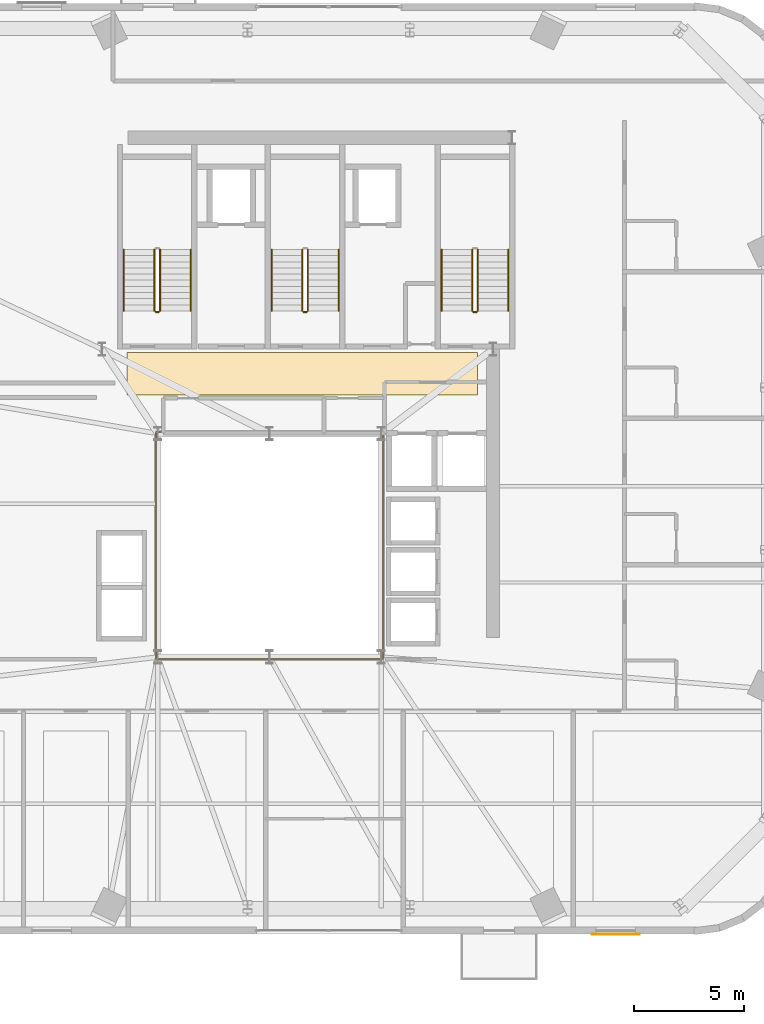
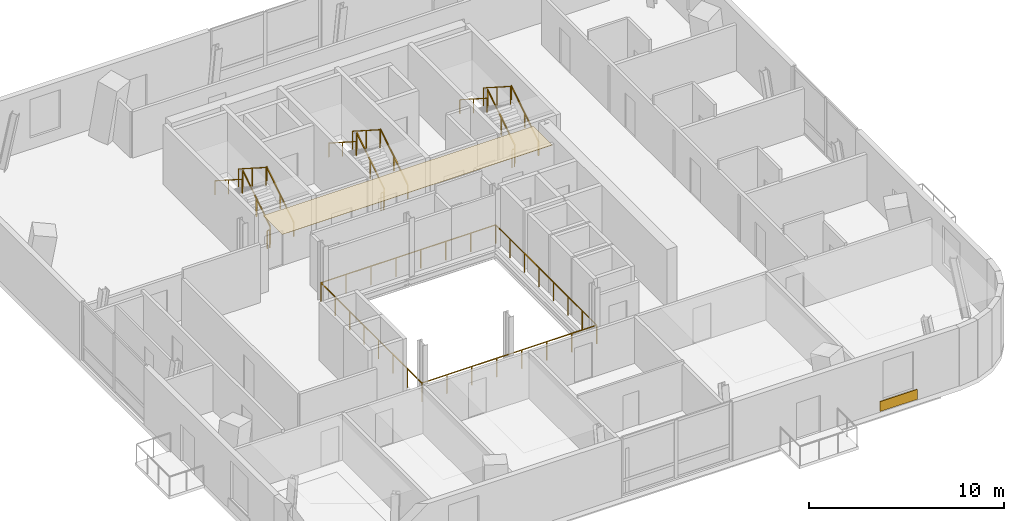
# One storey, part 11 of 14: 16 railings, 2 coverings.
"""IFC4 building model written with IfcOpenShell, lengths in metres."""

from ifc_helpers import new_model, si_unit, direction, frame, origin, origin_2d, place, context, subcontext, project, spatial, polyline, rectangle, outline, extrude, source, transform, mapped, material, layer, layer_set, type_object, element, save


model = new_model("IFC4")

# Units and contexts
model_context = context("Model", 3, precision=1e-05, world=origin(), true_north=direction((0.0, 1.0)))
body_context = subcontext(model_context, "Body", "Model", "MODEL_VIEW")
ifc_project = project(units=[si_unit("LENGTHUNIT", "METRE"), si_unit("AREAUNIT", "SQUARE_METRE"), si_unit("VOLUMEUNIT", "CUBIC_METRE"), si_unit("PLANEANGLEUNIT", "RADIAN"), si_unit("MASSUNIT", "GRAM", prefix="KILO")], contexts=[model_context])

# Site, building, storey
site_placement = place(None, origin())
site = spatial("IfcSite", under=ifc_project, at=site_placement, CompositionType="ELEMENT")
building_placement = place(site_placement, origin())
building = spatial("IfcBuilding", under=site, at=building_placement, Name="Vardaveli Station Tower", CompositionType="ELEMENT")
storey_placement = place(building_placement, frame((0.0, 0.0, 270.35009765625)))
storey = spatial("IfcBuildingStorey", under=building, at=storey_placement, Name="L69", CompositionType="ELEMENT", Elevation=270.35009765625)

# Coverings
ifc_material_1 = material(Name="Perforated acoustic mineral ceiling")
ifc_layer_1 = layer(ifc_material_1, 0.02001953125, Name="Perforated acoustic mineral ceiling")
ifc_layer_set_1 = layer_set([ifc_layer_1], Name="Perforated acoustic mineral ceiling")
covering_type_1 = type_object("IfcCoveringType", Name="COV-CEIL-AC20", PredefinedType="CEILING", material=ifc_layer_set_1)
covering_1_placement = place(storey_placement, frame((0.0, 0.0, 3.635009765625)))
element("IfcCovering", 1, at=covering_1_placement, inside=storey, type_object=covering_type_1, Name="CEIL-L69-6", PredefinedType="CEILING", context=body_context, shape_type="SweptSolid", body=[
    extrude(outline(polyline([(29.800048828125, 28.550048828125), (45.800048828125, 28.550048828125), (45.800048828125, 30.5), (29.800048828125, 30.5), (29.800048828125, 28.550048828125)])), origin(), (0.0, 0.0, 1.0), 0.019775390625),
])
ifc_material_2 = material(Name="Ventilated honed travertine stone cladding", Category="masonry")
ifc_layer_2 = layer(ifc_material_2, 0.044921875, Name="Ventilated honed travertine stone cladding")
ifc_layer_set_2 = layer_set([ifc_layer_2], Name="Ventilated honed travertine stone cladding")
covering_type_2 = type_object("IfcCoveringType", Name="COV-CLAD-TR45", PredefinedType="CLADDING", material=ifc_layer_set_2)
shared_shape_1 = source(origin(), body_context, "Body", "SweptSolid", [
    extrude(rectangle(XDim=2.199951171875, YDim=0.044921875, at=origin_2d()), origin(), (0.0, 0.0, 1.0), 0.6201171875),
])
covering_2_placement = place(storey_placement, frame((52.09912109375, 3.945556640625, 0.06982421875), z_axis=(0.0, 0.0, 1.0), x_axis=(1.0, 0.0, 0.0)))
element("IfcCovering", 2, at=covering_2_placement, inside=storey, type_object=covering_type_2, Name="CLD-TR-L69-S", PredefinedType="CLADDING", context=body_context, shape_type="MappedRepresentation", body=[
    mapped(shared_shape_1, transform((0.0, 0.0, 0.0), scale=1.0)),
])

# Railings
ifc_material_3 = material(Name="Brushed AISI 316 stainless steel", Category="steel")
railing_type_1 = type_object("IfcRailingType", Name="RL-GUARD-1150", PredefinedType="GUARDRAIL", material=ifc_material_3)
shared_shape_2 = source(origin(), body_context, "Body", "SweptSolid", [
    extrude(rectangle(XDim=0.048095703125, YDim=0.048095703125, at=origin_2d()), frame((0.0, 0.0, 1.1259765625), z_axis=(-1.0, 0.0, 0.0), x_axis=(0.0, -1.0, 0.0)), (0.0, 0.0, 1.0), 0.14990234375),
    extrude(rectangle(XDim=0.0419921875, YDim=0.0419921875, at=origin_2d()), origin(), (0.0, 0.0, 1.0), 1.101806640625),
    extrude(rectangle(XDim=0.0419921875, YDim=0.0419921875, at=origin_2d()), frame((-0.14990234375, 0.0, 0.0)), (0.0, 0.0, 1.0), 1.101806640625),
])
for number, where, name in (
    (3, (31.25, 32.35009765625, 0.0), "L69 ST-1 stair guard 4"),
    (4, (38.0, 32.35009765625, 0.0), "L69 ST-2 stair guard 4"),
    (5, (45.75, 32.35009765625, 0.0), "L69 ST-3 stair guard 4"),
):
    element("IfcRailing", number, at=place(storey_placement, frame(where)), inside=storey, type_object=railing_type_1, Name=name, PredefinedType="GUARDRAIL", context=body_context, shape_type="MappedRepresentation", body=[
        mapped(shared_shape_2, transform((0.0, 0.0, 0.0), scale=1.0)),
    ])
shared_shape_3 = source(origin(), body_context, "Body", "SweptSolid", [
    extrude(rectangle(XDim=0.048095703125, YDim=0.048095703125, at=origin_2d()), frame((0.0, 0.0, 1.1259765625), z_axis=(0.0, 0.841809871826, 0.539774156196), x_axis=(-1.0, 0.0, 0.0)), (0.0, 0.0, 1.0), 3.326171875),
    extrude(rectangle(XDim=0.0419921875, YDim=0.0419921875, at=origin_2d()), origin(), (0.0, 0.0, 1.0), 1.101806640625),
    extrude(rectangle(XDim=0.0419921875, YDim=0.0419921875, at=origin_2d()), frame((0.0, 1.39990234375, 0.897705078125)), (0.0, 0.0, 1.0), 1.101806640625),
    extrude(rectangle(XDim=0.0419921875, YDim=0.0419921875, at=origin_2d()), frame((0.0, 2.800048828125, 1.79541015625)), (0.0, 0.0, 1.0), 1.101806640625),
])
for number, where, name in (
    (6, (31.300048828125, 32.39990234375, 0.179443359375), "L69 ST-1 stair guard 1"),
    (7, (38.050048828125, 32.39990234375, 0.179443359375), "L69 ST-2 stair guard 1"),
    (8, (45.800048828125, 32.39990234375, 0.179443359375), "L69 ST-3 stair guard 1"),
):
    element("IfcRailing", number, at=place(storey_placement, frame(where)), inside=storey, type_object=railing_type_1, Name=name, PredefinedType="GUARDRAIL", context=body_context, shape_type="MappedRepresentation", body=[
        mapped(shared_shape_3, transform((0.0, 0.0, 0.0), scale=1.0)),
    ])
shared_shape_4 = source(origin(), body_context, "Body", "SweptSolid", [
    extrude(rectangle(XDim=0.048095703125, YDim=0.048095703125, at=origin_2d()), frame((0.0, 0.0, 1.1259765625), z_axis=(0.0, -0.841809871826, 0.539774156196), x_axis=(1.0, 0.0, 0.0)), (0.0, 0.0, 1.0), 3.326171875),
    extrude(rectangle(XDim=0.0419921875, YDim=0.0419921875, at=origin_2d()), origin(), (0.0, 0.0, 1.0), 1.101806640625),
    extrude(rectangle(XDim=0.0419921875, YDim=0.0419921875, at=origin_2d()), frame((0.0, -1.39990234375, 0.897705078125)), (0.0, 0.0, 1.0), 1.101806640625),
    extrude(rectangle(XDim=0.0419921875, YDim=0.0419921875, at=origin_2d()), frame((0.0, -2.800048828125, 1.79541015625)), (0.0, 0.0, 1.0), 1.101806640625),
])
for number, where, name in (
    (9, (31.050048828125, 35.199951171875, 2.154541015625), "L69 ST-1 stair guard 3"),
    (10, (37.800048828125, 35.199951171875, 2.154541015625), "L69 ST-2 stair guard 3"),
    (11, (45.550048828125, 35.199951171875, 2.154541015625), "L69 ST-3 stair guard 3"),
):
    element("IfcRailing", number, at=place(storey_placement, frame(where)), inside=storey, type_object=railing_type_1, Name=name, PredefinedType="GUARDRAIL", context=body_context, shape_type="MappedRepresentation", body=[
        mapped(shared_shape_4, transform((0.0, 0.0, 0.0), scale=1.0)),
    ])
railing_type_2 = type_object("IfcRailingType", Name="RL-HAND-900", PredefinedType="HANDRAIL", material=ifc_material_3)
shared_shape_5 = source(origin(), body_context, "Body", "SweptSolid", [
    extrude(rectangle(XDim=0.048095703125, YDim=0.048095703125, at=origin_2d()), frame((0.0, 0.0, 0.8759765625), z_axis=(0.0, 0.841809871826, 0.539774156196), x_axis=(-1.0, 0.0, 0.0)), (0.0, 0.0, 1.0), 3.326171875),
    extrude(rectangle(XDim=0.0419921875, YDim=0.0419921875, at=origin_2d()), origin(), (0.0, 0.0, 1.0), 0.851806640625),
    extrude(rectangle(XDim=0.0419921875, YDim=0.0419921875, at=origin_2d()), frame((0.0, 1.39990234375, 0.897705078125)), (0.0, 0.0, 1.0), 0.851806640625),
    extrude(rectangle(XDim=0.0419921875, YDim=0.0419921875, at=origin_2d()), frame((0.0, 2.800048828125, 1.79541015625)), (0.0, 0.0, 1.0), 0.851806640625),
])
for number, where, name in (
    (12, (32.699951171875, 32.39990234375, 0.179443359375), "L69 ST-1 stair handrail 1"),
    (13, (39.449951171875, 32.39990234375, 0.179443359375), "L69 ST-2 stair handrail 1"),
    (14, (47.199951171875, 32.39990234375, 0.179443359375), "L69 ST-3 stair handrail 1"),
):
    element("IfcRailing", number, at=place(storey_placement, frame(where)), inside=storey, type_object=railing_type_2, Name=name, PredefinedType="HANDRAIL", context=body_context, shape_type="MappedRepresentation", body=[
        mapped(shared_shape_5, transform((0.0, 0.0, 0.0), scale=1.0)),
    ])
shared_shape_6 = source(origin(), body_context, "Body", "SweptSolid", [
    extrude(rectangle(XDim=0.048095703125, YDim=0.048095703125, at=origin_2d()), frame((0.0, 0.0, 0.8759765625), z_axis=(0.0, -0.841809871826, 0.539774156196), x_axis=(1.0, 0.0, 0.0)), (0.0, 0.0, 1.0), 3.326171875),
    extrude(rectangle(XDim=0.0419921875, YDim=0.0419921875, at=origin_2d()), origin(), (0.0, 0.0, 1.0), 0.851806640625),
    extrude(rectangle(XDim=0.0419921875, YDim=0.0419921875, at=origin_2d()), frame((0.0, -1.39990234375, 0.897705078125)), (0.0, 0.0, 1.0), 0.851806640625),
    extrude(rectangle(XDim=0.0419921875, YDim=0.0419921875, at=origin_2d()), frame((0.0, -2.800048828125, 1.79541015625)), (0.0, 0.0, 1.0), 0.851806640625),
])
for number, where, name in (
    (15, (29.64990234375, 35.199951171875, 2.154541015625), "L69 ST-1 stair handrail 2"),
    (16, (36.39990234375, 35.199951171875, 2.154541015625), "L69 ST-2 stair handrail 2"),
    (17, (44.14990234375, 35.199951171875, 2.154541015625), "L69 ST-3 stair handrail 2"),
):
    element("IfcRailing", number, at=place(storey_placement, frame(where)), inside=storey, type_object=railing_type_2, Name=name, PredefinedType="HANDRAIL", context=body_context, shape_type="MappedRepresentation", body=[
        mapped(shared_shape_6, transform((0.0, 0.0, 0.0), scale=1.0)),
    ])
ifc_material_4 = material(Name="Laminated glass and stainless steel balustrade", Category="steel")
railing_type_3 = type_object("IfcRailingType", Name="RL-BAL-1200", PredefinedType="BALUSTRADE", material=ifc_material_4)
shared_shape_7 = source(origin(), body_context, "Body", "SweptSolid", [
    extrude(rectangle(XDim=0.048095703125, YDim=0.048095703125, at=origin_2d()), frame((0.0, 0.0, 1.17578125), z_axis=(1.0, 0.0, 0.0), x_axis=(0.0, 1.0, 0.0)), (0.0, 0.0, 1.0), 10.35986328125),
    extrude(rectangle(XDim=0.048095703125, YDim=0.048095703125, at=origin_2d()), frame((10.35986328125, 0.0, 1.17578125), z_axis=(0.0, 1.0, 0.0), x_axis=(-1.0, 0.0, 0.0)), (0.0, 0.0, 1.0), 10.35986328125),
    extrude(rectangle(XDim=0.048095703125, YDim=0.048095703125, at=origin_2d()), frame((10.35986328125, 10.35986328125, 1.17578125), z_axis=(-1.0, 0.0, 0.0), x_axis=(0.0, -1.0, 0.0)), (0.0, 0.0, 1.0), 10.35986328125),
    extrude(rectangle(XDim=0.048095703125, YDim=0.048095703125, at=origin_2d()), frame((0.0, 10.35986328125, 1.17578125), z_axis=(0.0, -1.0, 0.0), x_axis=(1.0, 0.0, 0.0)), (0.0, 0.0, 1.0), 10.35986328125),
    extrude(rectangle(XDim=0.0419921875, YDim=0.0419921875, at=origin_2d()), origin(), (0.0, 0.0, 1.0), 1.15185546875),
    extrude(rectangle(XDim=0.0419921875, YDim=0.0419921875, at=origin_2d()), frame((1.47998046875, 0.0, 0.0)), (0.0, 0.0, 1.0), 1.15185546875),
    extrude(rectangle(XDim=0.0419921875, YDim=0.0419921875, at=origin_2d()), frame((2.9599609375, 0.0, 0.0)), (0.0, 0.0, 1.0), 1.15185546875),
    extrude(rectangle(XDim=0.0419921875, YDim=0.0419921875, at=origin_2d()), frame((4.43994140625, 0.0, 0.0)), (0.0, 0.0, 1.0), 1.15185546875),
    extrude(rectangle(XDim=0.0419921875, YDim=0.0419921875, at=origin_2d()), frame((5.919921875, 0.0, 0.0)), (0.0, 0.0, 1.0), 1.15185546875),
    extrude(rectangle(XDim=0.0419921875, YDim=0.0419921875, at=origin_2d()), frame((7.39990234375, 0.0, 0.0)), (0.0, 0.0, 1.0), 1.15185546875),
    extrude(rectangle(XDim=0.0419921875, YDim=0.0419921875, at=origin_2d()), frame((8.8798828125, 0.0, 0.0)), (0.0, 0.0, 1.0), 1.15185546875),
    extrude(rectangle(XDim=0.0419921875, YDim=0.0419921875, at=origin_2d()), frame((10.35986328125, 0.0, 0.0)), (0.0, 0.0, 1.0), 1.15185546875),
    extrude(rectangle(XDim=0.0419921875, YDim=0.0419921875, at=origin_2d()), frame((10.35986328125, 1.47998046875, 0.0)), (0.0, 0.0, 1.0), 1.15185546875),
    extrude(rectangle(XDim=0.0419921875, YDim=0.0419921875, at=origin_2d()), frame((10.35986328125, 2.9599609375, 0.0)), (0.0, 0.0, 1.0), 1.15185546875),
    extrude(rectangle(XDim=0.0419921875, YDim=0.0419921875, at=origin_2d()), frame((10.35986328125, 4.43994140625, 0.0)), (0.0, 0.0, 1.0), 1.15185546875),
    extrude(rectangle(XDim=0.0419921875, YDim=0.0419921875, at=origin_2d()), frame((10.35986328125, 5.919921875, 0.0)), (0.0, 0.0, 1.0), 1.15185546875),
    extrude(rectangle(XDim=0.0419921875, YDim=0.0419921875, at=origin_2d()), frame((10.35986328125, 7.39990234375, 0.0)), (0.0, 0.0, 1.0), 1.15185546875),
    extrude(rectangle(XDim=0.0419921875, YDim=0.0419921875, at=origin_2d()), frame((10.35986328125, 8.8798828125, 0.0)), (0.0, 0.0, 1.0), 1.15185546875),
    extrude(rectangle(XDim=0.0419921875, YDim=0.0419921875, at=origin_2d()), frame((10.35986328125, 10.35986328125, 0.0)), (0.0, 0.0, 1.0), 1.15185546875),
    extrude(rectangle(XDim=0.0419921875, YDim=0.0419921875, at=origin_2d()), frame((8.8798828125, 10.35986328125, 0.0)), (0.0, 0.0, 1.0), 1.15185546875),
    extrude(rectangle(XDim=0.0419921875, YDim=0.0419921875, at=origin_2d()), frame((7.39990234375, 10.35986328125, 0.0)), (0.0, 0.0, 1.0), 1.15185546875),
    extrude(rectangle(XDim=0.0419921875, YDim=0.0419921875, at=origin_2d()), frame((5.919921875, 10.35986328125, 0.0)), (0.0, 0.0, 1.0), 1.15185546875),
    extrude(rectangle(XDim=0.0419921875, YDim=0.0419921875, at=origin_2d()), frame((4.43994140625, 10.35986328125, 0.0)), (0.0, 0.0, 1.0), 1.15185546875),
    extrude(rectangle(XDim=0.0419921875, YDim=0.0419921875, at=origin_2d()), frame((2.9599609375, 10.35986328125, 0.0)), (0.0, 0.0, 1.0), 1.15185546875),
    extrude(rectangle(XDim=0.0419921875, YDim=0.0419921875, at=origin_2d()), frame((1.47998046875, 10.35986328125, 0.0)), (0.0, 0.0, 1.0), 1.15185546875),
    extrude(rectangle(XDim=0.0419921875, YDim=0.0419921875, at=origin_2d()), frame((0.0, 10.35986328125, 0.0)), (0.0, 0.0, 1.0), 1.15185546875),
    extrude(rectangle(XDim=0.0419921875, YDim=0.0419921875, at=origin_2d()), frame((0.0, 8.8798828125, 0.0)), (0.0, 0.0, 1.0), 1.15185546875),
    extrude(rectangle(XDim=0.0419921875, YDim=0.0419921875, at=origin_2d()), frame((0.0, 7.39990234375, 0.0)), (0.0, 0.0, 1.0), 1.15185546875),
    extrude(rectangle(XDim=0.0419921875, YDim=0.0419921875, at=origin_2d()), frame((0.0, 5.919921875, 0.0)), (0.0, 0.0, 1.0), 1.15185546875),
    extrude(rectangle(XDim=0.0419921875, YDim=0.0419921875, at=origin_2d()), frame((0.0, 4.43994140625, 0.0)), (0.0, 0.0, 1.0), 1.15185546875),
    extrude(rectangle(XDim=0.0419921875, YDim=0.0419921875, at=origin_2d()), frame((0.0, 2.9599609375, 0.0)), (0.0, 0.0, 1.0), 1.15185546875),
    extrude(rectangle(XDim=0.0419921875, YDim=0.0419921875, at=origin_2d()), frame((0.0, 1.47998046875, 0.0)), (0.0, 0.0, 1.0), 1.15185546875),
])
railing_placement = place(storey_placement, frame((31.1201171875, 16.52001953125, 0.0)))
element("IfcRailing", 18, at=railing_placement, inside=storey, type_object=railing_type_3, Name="RL-ATR-L69", PredefinedType="BALUSTRADE", context=body_context, shape_type="MappedRepresentation", body=[
    mapped(shared_shape_7, transform((0.0, 0.0, 0.0), scale=1.0)),
])

save(model, "model.ifc")
